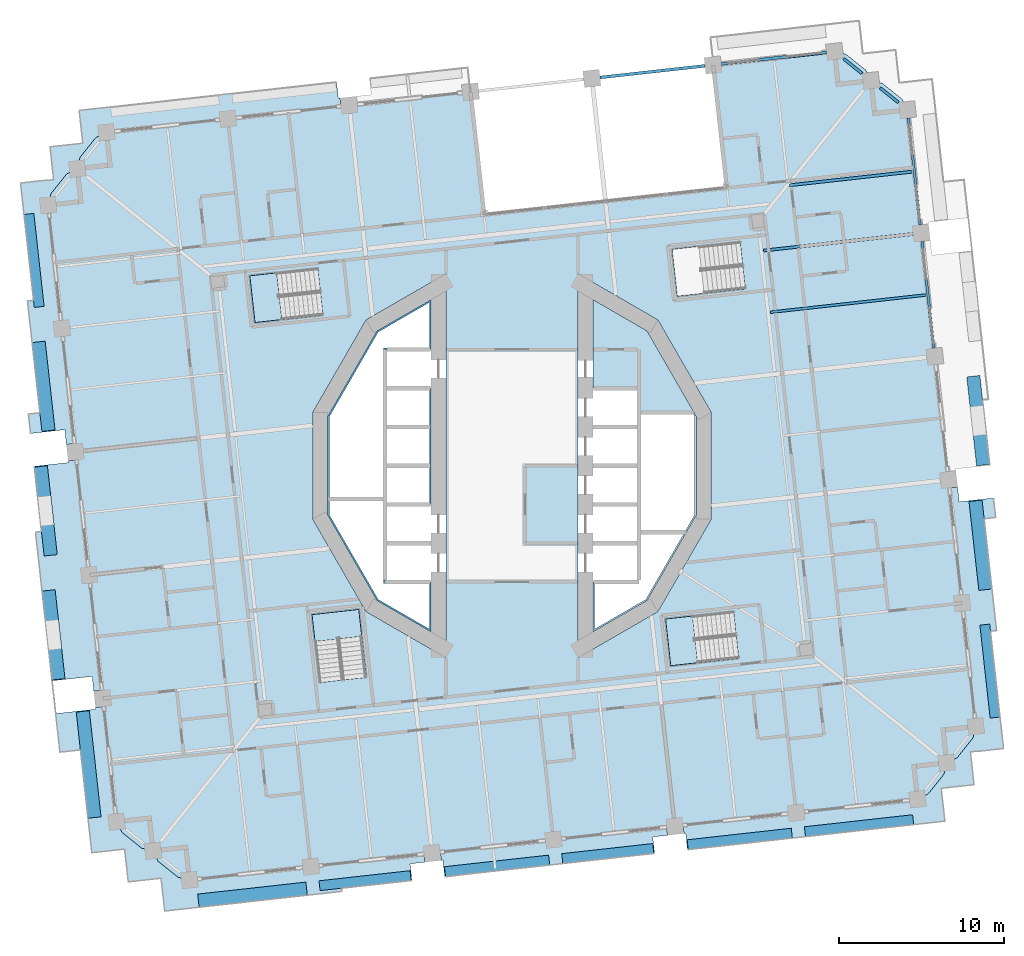
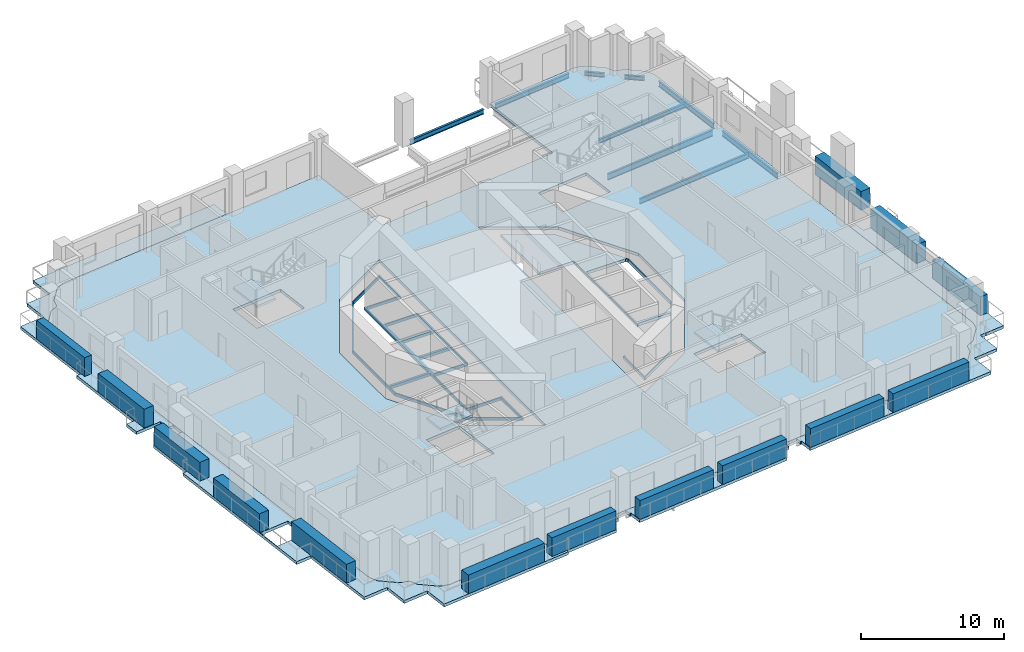
# One storey, part 5 of 20: 14 plates, 10 slabs, 9 beams, 3 elements without a shape of their own.
"""IFC4 building model written with IfcOpenShell, lengths in metres."""

from ifc_helpers import new_model, si_unit, direction, frame, origin, origin_2d, place, context, subcontext, project, spatial, polyline, rectangle, i_section, outline, extrude, material, layer, layer_set, material_profile, profile_set, type_object, element, aggregate, save


model = new_model("IFC4")

# Units and contexts
model_context = context("Model", 3, precision=1e-05, world=origin(), true_north=direction((0.0, 1.0)))
body_context = subcontext(model_context, "Body", "Model", "MODEL_VIEW")
ifc_project = project(units=[si_unit("LENGTHUNIT", "METRE"), si_unit("AREAUNIT", "SQUARE_METRE"), si_unit("VOLUMEUNIT", "CUBIC_METRE"), si_unit("PLANEANGLEUNIT", "RADIAN"), si_unit("MASSUNIT", "GRAM", prefix="KILO")], contexts=[model_context])

# Site, building, storey
site_placement = place(None, origin())
site = spatial("IfcSite", under=ifc_project, at=site_placement, CompositionType="ELEMENT")
building_placement = place(site_placement, origin())
building = spatial("IfcBuilding", under=site, at=building_placement, Name="Cantera Rosa Tower", CompositionType="ELEMENT")
storey_placement = place(building_placement, frame((0.0, 0.0, 50.10009765625)))
storey = spatial("IfcBuildingStorey", under=building, at=storey_placement, Name="L09", CompositionType="ELEMENT", Elevation=50.10009765625)

# Beams
ifc_material_1 = material(Name="Steel ASTM A992 (Fy 345 MPa)", Category="steel")
ifc_material_profile_1 = material_profile(ifc_material_1, i_section(OverallWidth=0.166015625, OverallDepth=0.528076171875, WebThickness=0.009765625, FlangeThickness=0.013671875, FilletRadius=0.0126953125, at=origin_2d()), Name="W530X74")
ifc_profile_set_1 = profile_set([ifc_material_profile_1], Name="Steel ASTM A992 (Fy 345 MPa)")
beam_type_1 = type_object("IfcBeamType", Name="STEEL BEAM W530X74", PredefinedType="BEAM", material=ifc_profile_set_1)
beam_1_placement = place(storey_placement, frame((24.298828125, 14.046142578125, -0.51416015625), z_axis=(-0.993896161189, -0.110319630049, 0.0), x_axis=(0.110319630049, -0.993896161189, 0.0)))
element("IfcBeam", 1, at=beam_1_placement, inside=storey, type_object=beam_type_1, Name="G-Z1-04 L09", PredefinedType="BEAM", context=body_context, shape_type="SweptSolid", body=[
    extrude(i_section(OverallWidth=0.166015625, OverallDepth=0.528076171875, WebThickness=0.009765625, FlangeThickness=0.013671875, FilletRadius=0.0126953125, at=origin_2d()), origin(), (0.0, 0.0, 1.0), 9.10009765625),
])
ifc_material_2 = material(Name="Steel ASTM A992 (Fy 345 MPa)", Category="steel")
ifc_material_profile_2 = material_profile(ifc_material_2, i_section(OverallWidth=0.1708984375, OverallDepth=0.35595703125, WebThickness=0.00732421875, FlangeThickness=0.01171875, FilletRadius=0.010009765625, at=origin_2d()), Name="W360X51")
ifc_profile_set_2 = profile_set([ifc_material_profile_2], Name="Steel ASTM A992 (Fy 345 MPa)")
beam_type_2 = type_object("IfcBeamType", Name="STEEL JOIST W360X51", PredefinedType="JOIST", material=ifc_profile_set_2)
beam_2_placement = place(storey_placement, frame((24.23193359375, 17.82177734375, -0.427978515625), z_axis=(-0.993899688369, -0.110287848199, 0.0), x_axis=(0.110287848199, -0.993899688369, 0.0)))
element("IfcBeam", 2, at=beam_2_placement, inside=storey, type_object=beam_type_2, Name="B-Z1-05 L09", PredefinedType="JOIST", context=body_context, shape_type="SweptSolid", body=[
    extrude(i_section(OverallWidth=0.1708984375, OverallDepth=0.35595703125, WebThickness=0.00732421875, FlangeThickness=0.01171875, FilletRadius=0.010009765625, at=origin_2d()), origin(), (0.0, 0.0, 1.0), 7.4599609375),
])
ifc_material_3 = material(Name="Steel ASTM A992 (Fy 345 MPa)", Category="steel")
ifc_material_profile_3 = material_profile(ifc_material_3, i_section(OverallWidth=0.154052734375, OverallDepth=0.4599609375, WebThickness=0.009033203125, FlangeThickness=0.015380859375, FilletRadius=0.01025390625, at=origin_2d()), Name="W460X68")
ifc_profile_set_3 = profile_set([ifc_material_profile_3], Name="Steel ASTM A992 (Fy 345 MPa)")
beam_type_3 = type_object("IfcBeamType", Name="STEEL JOIST W460X68", PredefinedType="JOIST", material=ifc_profile_set_3)
beam_3_placement = place(storey_placement, frame((25.0615234375, 10.34765625, -0.47998046875), z_axis=(-0.993896645353, -0.110315268011, 0.0), x_axis=(0.110315268011, -0.993896645353, 0.0)))
element("IfcBeam", 3, at=beam_3_placement, inside=storey, type_object=beam_type_3, Name="B-Z1-04 L09", PredefinedType="JOIST", context=body_context, shape_type="SweptSolid", body=[
    extrude(i_section(OverallWidth=0.154052734375, OverallDepth=0.4599609375, WebThickness=0.009033203125, FlangeThickness=0.015380859375, FilletRadius=0.01025390625, at=origin_2d()), origin(), (0.0, 0.0, 1.0), 9.449951171875),
])
ifc_material_4 = material(Name="Steel ASTM A992 (Fy 345 MPa)", Category="steel")
ifc_material_profile_4 = material_profile(ifc_material_4, i_section(OverallWidth=0.1708984375, OverallDepth=0.35595703125, WebThickness=0.00732421875, FlangeThickness=0.01171875, FilletRadius=0.010009765625, at=origin_2d()), Name="W360X51")
ifc_profile_set_4 = profile_set([ifc_material_profile_4], Name="Steel ASTM A992 (Fy 345 MPa)")
beam_type_4 = type_object("IfcBeamType", Name="STEEL SPANDREL BEAM W360X51", PredefinedType="SPANDREL", material=ifc_profile_set_4)
for number, where, z_axis, x_axis, name in (
    (4, (23.4140625, 22.017333984375, -0.427978515625), (-0.780818280208, 0.624758203863, 0.0), (-0.624758203863, -0.780818280208, 0.0), "EB-Z1-06 L09"),
    (5, (21.205810546875, 23.784423828125, -0.427978515625), (-0.780818280208, 0.624758203863, 0.0), (-0.624758203863, -0.780818280208, 0.0), "EB-Z1-07 L09"),
):
    element("IfcBeam", number, at=place(storey_placement, frame(where, z_axis=z_axis, x_axis=x_axis)), inside=storey, type_object=beam_type_4, Name=name, PredefinedType="SPANDREL", context=body_context, shape_type="SweptSolid", body=[
        extrude(i_section(OverallWidth=0.1708984375, OverallDepth=0.35595703125, WebThickness=0.00732421875, FlangeThickness=0.01171875, FilletRadius=0.010009765625, at=origin_2d()), origin(), (0.0, 0.0, 1.0), 1.414306640625),
    ])
ifc_material_5 = material(Name="Steel ASTM A992 (Fy 345 MPa)", Category="steel")
ifc_material_profile_5 = material_profile(ifc_material_5, i_section(OverallWidth=0.177978515625, OverallDepth=0.406005859375, WebThickness=0.0078125, FlangeThickness=0.0126953125, FilletRadius=0.01025390625, at=origin_2d()), Name="W410X60")
ifc_profile_set_5 = profile_set([ifc_material_profile_5], Name="Steel ASTM A992 (Fy 345 MPa)")
beam_type_5 = type_object("IfcBeamType", Name="STEEL SPANDREL BEAM W410X60", PredefinedType="SPANDREL", material=ifc_profile_set_5)
beam_4_placement = place(storey_placement, frame((19.052490234375, 25.0546875, -0.453125), z_axis=(-0.993896288542, -0.110318482689, 0.0), x_axis=(0.110318482689, -0.993896288542, 0.0)))
element("IfcBeam", 6, at=beam_4_placement, inside=storey, type_object=beam_type_5, Name="EB-Z1-08 L09", PredefinedType="SPANDREL", context=body_context, shape_type="SweptSolid", body=[
    extrude(i_section(OverallWidth=0.177978515625, OverallDepth=0.406005859375, WebThickness=0.0078125, FlangeThickness=0.0126953125, FilletRadius=0.01025390625, at=origin_2d()), origin(), (0.0, 0.0, 1.0), 6.400146484375),
])
beam_5_placement = place(storey_placement, frame((11.697509765625, 24.23828125, -0.453125), z_axis=(-0.993895824271, -0.110322665379, 0.0), x_axis=(0.110322665379, -0.993895824271, 0.0)))
element("IfcBeam", 7, at=beam_5_placement, inside=storey, type_object=beam_type_5, Name="EB-Z1-09 L09", PredefinedType="SPANDREL", context=body_context, shape_type="SweptSolid", body=[
    extrude(i_section(OverallWidth=0.177978515625, OverallDepth=0.406005859375, WebThickness=0.0078125, FlangeThickness=0.0126953125, FilletRadius=0.01025390625, at=origin_2d()), origin(), (0.0, 0.0, 1.0), 6.39990234375),
])
ifc_material_6 = material(Name="Steel ASTM A992 (Fy 345 MPa)", Category="steel")
ifc_material_profile_6 = material_profile(ifc_material_6, i_section(OverallWidth=0.154052734375, OverallDepth=0.4599609375, WebThickness=0.009033203125, FlangeThickness=0.015380859375, FilletRadius=0.01025390625, at=origin_2d()), Name="W460X68")
ifc_profile_set_6 = profile_set([ifc_material_profile_6], Name="Steel ASTM A992 (Fy 345 MPa)")
beam_type_6 = type_object("IfcBeamType", Name="STEEL SPANDREL BEAM W460X68", PredefinedType="SPANDREL", material=ifc_profile_set_6)
for number, where, z_axis, x_axis, name in (
    (8, (25.570068359375, 7.124267578125, -0.47998046875), (-0.110312341265, 0.993896970196, 0.0), (-0.993896970196, -0.110312341265, 0.0), "EB-Z1-04 L09"),
    (9, (24.74072265625, 14.598388671875, -0.47998046875), (-0.110312341265, 0.993896970196, 0.0), (-0.993896970196, -0.110312341265, 0.0), "EB-Z1-05 L09"),
):
    element("IfcBeam", number, at=place(storey_placement, frame(where, z_axis=z_axis, x_axis=x_axis)), inside=storey, type_object=beam_type_6, Name=name, PredefinedType="SPANDREL", context=body_context, shape_type="SweptSolid", body=[
        extrude(i_section(OverallWidth=0.154052734375, OverallDepth=0.4599609375, WebThickness=0.009033203125, FlangeThickness=0.015380859375, FilletRadius=0.01025390625, at=origin_2d()), origin(), (0.0, 0.0, 1.0), 6.52001953125),
    ])

# Slabs
ifc_material_7 = material(Name="Concrete C35/45", Category="concrete")
ifc_layer_1 = layer(ifc_material_7, 0.25)
ifc_layer_set_1 = layer_set([ifc_layer_1], Name="COMPOSITE FLOOR SLAB 250 C35/45")
slab_type_1 = type_object("IfcSlabType", Name="COMPOSITE FLOOR SLAB 250 C35/45", PredefinedType="FLOOR", material=ifc_layer_set_1)
slab_1_placement = place(storey_placement, frame((0.0, 0.0, -0.25)))
element("IfcSlab", 10, at=slab_1_placement, inside=storey, type_object=slab_type_1, Name="SLAB L09 floor 1", PredefinedType="FLOOR", context=body_context, shape_type="SweptSolid", body=[
    extrude(outline(polyline([(-7.699951171875, -7.050048828125), (-4.89990234375, -7.050048828125), (-4.89990234375, -10.07373046875), (-8.179931640625, -8.179931640625), (-11.174072265625, -2.994140625), (-11.174072265625, 2.994140625), (-8.179931640625, 8.179931640625), (-4.89990234375, 10.07373046875), (-4.89990234375, 7.050048828125), (-7.699951171875, 7.050048828125), (-7.699951171875, 4.699951171875), (-4.89990234375, 4.699951171875), (-4.89990234375, -2.35009765625), (-7.699951171875, -2.35009765625), (-7.699951171875, -4.699951171875), (-7.699951171875, -7.050048828125)]), holes=[polyline([(-5.0, -9.900390625), (-5.0, -7.14990234375), (-7.800048828125, -7.14990234375), (-7.800048828125, -2.449951171875), (-7.800048828125, -2.25), (-7.800048828125, -2.11474609375), (-11.07421875, -2.11474609375), (-11.07421875, -2.96728515625), (-8.106689453125, -8.106689453125), (-5.0, -9.900390625)]), polyline([(-7.60009765625, -0.10009765625), (-7.60009765625, -2.25), (-5.0, -2.25), (-5.0, -0.10009765625), (-7.60009765625, -0.10009765625)]), polyline([(-7.60009765625, 2.25), (-7.60009765625, 0.10009765625), (-5.0, 0.10009765625), (-5.0, 2.25), (-7.60009765625, 2.25)]), polyline([(-7.60009765625, 4.60009765625), (-7.60009765625, 2.449951171875), (-5.0, 2.449951171875), (-5.0, 4.60009765625), (-7.60009765625, 4.60009765625)]), polyline([(-11.07421875, 2.96728515625), (-11.07421875, -1.914794921875), (-7.800048828125, -1.914794921875), (-7.800048828125, 2.25), (-7.800048828125, 2.449951171875), (-7.800048828125, 7.14990234375), (-5.0, 7.14990234375), (-5.0, 9.900390625), (-8.106689453125, 8.106689453125), (-11.07421875, 2.96728515625)])]), origin(), (0.0, 0.0, 1.0), 0.25),
])
slab_2_placement = place(storey_placement, frame((0.0, 0.0, -0.25)))
element("IfcSlab", 11, at=slab_2_placement, inside=storey, type_object=slab_type_1, Name="SLAB L09 floor 2", PredefinedType="FLOOR", context=body_context, shape_type="SweptSolid", body=[
    extrude(outline(polyline([(-20.288818359375, -24.902099609375), (-21.39306640625, -24.018798828125), (-21.415283203125, -23.999267578125), (-21.435302734375, -23.9775390625), (-21.453125, -23.9541015625), (-21.468505859375, -23.92919921875), (-21.7578125, -23.342529296875), (-22.393310546875, -23.18896484375), (-22.42138671875, -23.179443359375), (-22.447998046875, -23.1669921875), (-22.473388671875, -23.15234375), (-22.497314453125, -23.135009765625), (-23.6015625, -22.25146484375), (-23.62353515625, -22.23193359375), (-23.643798828125, -22.21044921875), (-23.66162109375, -22.18701171875), (-23.677001953125, -22.161865234375), (-23.96630859375, -21.575439453125), (-28.114013671875, 15.795166015625), (-27.960205078125, 16.4306640625), (-27.95068359375, 16.45849609375), (-27.9384765625, 16.4853515625), (-27.923583984375, 16.5107421875), (-27.906494140625, 16.53466796875), (-27.022705078125, 17.638916015625), (-27.00341796875, 17.660888671875), (-26.981689453125, 17.680908203125), (-26.958251953125, 17.69873046875), (-26.933349609375, 17.714111328125), (-26.3466796875, 18.00341796875), (-26.193115234375, 18.63916015625), (-26.18359375, 18.6669921875), (-26.17138671875, 18.693603515625), (-26.156494140625, 18.71923828125), (-26.139404296875, 18.742919921875), (-25.255615234375, 19.84716796875), (-25.236083984375, 19.869384765625), (-25.214599609375, 19.889404296875), (-25.191162109375, 19.9072265625), (-25.166015625, 19.922607421875), (-24.57958984375, 20.2119140625), (-2.51513671875, 22.660888671875), (-1.687744140625, 15.20654296875), (13.02197265625, 16.839111328125), (12.194580078125, 24.29345703125), (18.642578125, 25.00927734375), (19.54931640625, 25.10986328125), (20.18505859375, 24.9560546875), (20.212890625, 24.946533203125), (20.239501953125, 24.934326171875), (20.26513671875, 24.91943359375), (20.288818359375, 24.902099609375), (21.39306640625, 24.018798828125), (21.415283203125, 23.999267578125), (21.435302734375, 23.9775390625), (21.453125, 23.9541015625), (21.468505859375, 23.92919921875), (21.7578125, 23.342529296875), (22.393310546875, 23.18896484375), (22.42138671875, 23.179443359375), (22.447998046875, 23.1669921875), (22.473388671875, 23.15234375), (22.497314453125, 23.135009765625), (23.6015625, 22.25146484375), (23.62353515625, 22.23193359375), (23.643798828125, 22.21044921875), (23.66162109375, 22.18701171875), (23.677001953125, 22.161865234375), (23.96630859375, 21.575439453125), (28.114013671875, -15.795166015625), (27.960205078125, -16.4306640625), (27.95068359375, -16.45849609375), (27.9384765625, -16.4853515625), (27.923583984375, -16.5107421875), (27.906494140625, -16.53466796875), (27.022705078125, -17.638916015625), (27.00341796875, -17.660888671875), (26.981689453125, -17.680908203125), (26.958251953125, -17.69873046875), (26.933349609375, -17.714111328125), (26.3466796875, -18.00341796875), (26.193115234375, -18.63916015625), (26.18359375, -18.6669921875), (26.17138671875, -18.693603515625), (26.156494140625, -18.71923828125), (26.139404296875, -18.742919921875), (25.255615234375, -19.84716796875), (25.236083984375, -19.869384765625), (25.214599609375, -19.889404296875), (25.191162109375, -19.9072265625), (25.166015625, -19.922607421875), (24.57958984375, -20.2119140625), (-18.642578125, -25.00927734375), (-19.54931640625, -25.10986328125), (-20.18505859375, -24.9560546875), (-20.212890625, -24.946533203125), (-20.239501953125, -24.934326171875), (-20.26513671875, -24.91943359375), (-20.288818359375, -24.902099609375)]), holes=[polyline([(-8.83056640625, -12.822265625), (-9.287109375, -8.709716796875), (-12.11962890625, -9.02392578125), (-11.6630859375, -13.13671875), (-8.83056640625, -12.822265625)]), polyline([(-8.8388671875, 8.8388671875), (-12.07421875, 3.235107421875), (-12.07421875, -3.235107421875), (-8.8388671875, -8.8388671875), (-4.0, -11.632568359375), (-4.0, 11.632568359375), (-8.8388671875, 8.8388671875)]), polyline([(-11.46337890625, 9.13671875), (-11.777587890625, 11.969482421875), (-15.890380859375, 11.512939453125), (-15.575927734375, 8.680419921875), (-11.46337890625, 9.13671875)]), polyline([(13.42236328125, -8.83056640625), (9.3095703125, -9.287109375), (9.6240234375, -12.11962890625), (13.73681640625, -11.6630859375), (13.42236328125, -8.83056640625)]), polyline([(4.0, -11.632568359375), (8.8388671875, -8.8388671875), (12.07421875, -3.235107421875), (12.07421875, 3.235107421875), (8.8388671875, 8.8388671875), (4.0, 11.632568359375), (4.0, -11.632568359375)]), polyline([(14.13671875, 10.73681640625), (13.822265625, 13.5693359375), (9.709716796875, 13.11279296875), (10.02392578125, 10.2802734375), (14.13671875, 10.73681640625)])]), origin(), (0.0, 0.0, 1.0), 0.25),
])
slab_3_placement = place(storey_placement, frame((0.0, 0.0, -0.25)))
element("IfcSlab", 12, at=slab_3_placement, inside=storey, type_object=slab_type_1, Name="SLAB L09 floor 3", PredefinedType="FLOOR", context=body_context, shape_type="SweptSolid", body=[
    extrude(outline(polyline([(5.0927734375, -7.050048828125), (5.0, -7.14990234375), (5.0, -9.900390625), (8.106689453125, -8.106689453125), (10.403076171875, -4.12939453125), (7.800048828125, -4.12939453125), (7.699951171875, -4.2373046875), (7.699951171875, -2.35009765625), (7.699951171875, 0.0), (7.699951171875, 2.35009765625), (7.699951171875, 4.699951171875), (4.89990234375, 4.699951171875), (4.89990234375, 10.07373046875), (8.179931640625, 8.179931640625), (11.174072265625, 2.994140625), (11.174072265625, -2.994140625), (8.179931640625, -8.179931640625), (4.89990234375, -10.07373046875), (4.89990234375, -7.050048828125), (5.0927734375, -7.050048828125)]), holes=[polyline([(7.800048828125, 2.449951171875), (7.800048828125, 2.25), (7.800048828125, -2.25), (7.800048828125, -2.449951171875), (7.800048828125, -3.929443359375), (10.5185546875, -3.929443359375), (11.07421875, -2.96728515625), (11.07421875, 2.96728515625), (10.98388671875, 3.12353515625), (7.800048828125, 3.12353515625), (7.800048828125, 2.449951171875)])]), origin(), (0.0, 0.0, 1.0), 0.25),
])
ifc_material_8 = material(Name="Concrete C35/45", Category="concrete")
ifc_layer_2 = layer(ifc_material_8, 0.25)
ifc_layer_set_2 = layer_set([ifc_layer_2], Name="LOGGIA SLAB 250 C35/45")
slab_type_2 = type_object("IfcSlabType", Name="LOGGIA SLAB 250 C35/45", PredefinedType="FLOOR", material=ifc_layer_set_2)
slab_4_placement = place(storey_placement, frame((0.0, 0.0, -0.25)))
element("IfcSlab", 13, at=slab_4_placement, inside=storey, type_object=slab_type_2, Name="LOGGIA SLAB L09 1", PredefinedType="FLOOR", context=body_context, shape_type="SweptSolid", body=[
    extrude(outline(polyline([(-29.36962890625, 9.989501953125), (-29.000732421875, 10.030517578125), (-29.789306640625, 17.1357421875), (-28.28125, 17.302978515625), (-28.279296875, 17.285888671875), (-27.782470703125, 17.341064453125), (-27.837646484375, 17.837890625), (-28.003173828125, 19.328857421875), (-26.51220703125, 19.494384765625), (-26.015380859375, 19.549560546875), (-26.070556640625, 20.04638671875), (-26.236083984375, 21.537353515625), (-24.7451171875, 21.702880859375), (-18.881103515625, 22.353515625), (-15.8994140625, 22.6845703125), (-11.5263671875, 23.169921875), (-10.6318359375, 23.269287109375), (-10.521484375, 22.275390625), (-10.422119140625, 22.286376953125), (-10.366943359375, 21.789306640625), (-24.57958984375, 20.2119140625), (-25.166015625, 19.922607421875), (-25.191162109375, 19.9072265625), (-25.214599609375, 19.889404296875), (-25.236083984375, 19.869384765625), (-25.255615234375, 19.84716796875), (-26.139404296875, 18.742919921875), (-26.156494140625, 18.71923828125), (-26.17138671875, 18.693603515625), (-26.18359375, 18.6669921875), (-26.193115234375, 18.63916015625), (-26.3466796875, 18.00341796875), (-26.933349609375, 17.714111328125), (-26.958251953125, 17.69873046875), (-26.981689453125, 17.680908203125), (-27.00341796875, 17.660888671875), (-27.022705078125, 17.638916015625), (-27.906494140625, 16.53466796875), (-27.923583984375, 16.5107421875), (-27.9384765625, 16.4853515625), (-27.95068359375, 16.45849609375), (-27.960205078125, 16.4306640625), (-28.114013671875, 15.795166015625), (-26.510009765625, 1.34375), (-27.007080078125, 1.288818359375), (-27.106201171875, 2.18310546875), (-29.180908203125, 1.952880859375), (-29.31201171875, 3.133056640625), (-28.6171875, 3.210205078125), (-29.36962890625, 9.989501953125)])), origin(), (0.0, 0.0, 1.0), 0.25),
])
slab_5_placement = place(storey_placement, frame((0.0, 0.0, -0.25)))
element("IfcSlab", 14, at=slab_5_placement, inside=storey, type_object=slab_type_2, Name="LOGGIA SLAB L09 2", PredefinedType="FLOOR", context=body_context, shape_type="SweptSolid", body=[
    extrude(outline(polyline([(-19.36181640625, -26.79931640625), (-21.051513671875, -26.98681640625), (-21.239013671875, -25.29736328125), (-21.272216796875, -24.999267578125), (-21.5703125, -25.0322265625), (-23.260009765625, -25.2197265625), (-23.447509765625, -23.5302734375), (-23.48046875, -23.23193359375), (-23.77880859375, -23.26513671875), (-25.46826171875, -23.45263671875), (-25.65576171875, -21.762939453125), (-26.159912109375, -17.22021484375), (-27.40185546875, -17.358154296875), (-28.882080078125, -4.021240234375), (-28.5224609375, -3.981201171875), (-28.96044921875, -0.034912109375), (-26.885498046875, 0.1953125), (-26.896728515625, 0.294921875), (-26.399658203125, 0.349853515625), (-24.850830078125, -13.6044921875), (-25.347900390625, -13.65966796875), (-25.447265625, -12.764892578125), (-27.83251953125, -13.02978515625), (-27.61181640625, -15.017578125), (-25.2265625, -14.752685546875), (-25.237548828125, -14.653564453125), (-24.740478515625, -14.598388671875), (-23.96630859375, -21.575439453125), (-23.677001953125, -22.161865234375), (-23.66162109375, -22.18701171875), (-23.643798828125, -22.21044921875), (-23.62353515625, -22.23193359375), (-23.6015625, -22.25146484375), (-22.497314453125, -23.135009765625), (-22.473388671875, -23.15234375), (-22.447998046875, -23.1669921875), (-22.42138671875, -23.179443359375), (-22.393310546875, -23.18896484375), (-21.7578125, -23.342529296875), (-21.468505859375, -23.92919921875), (-21.453125, -23.9541015625), (-21.435302734375, -23.9775390625), (-21.415283203125, -23.999267578125), (-21.39306640625, -24.018798828125), (-20.288818359375, -24.902099609375), (-20.26513671875, -24.91943359375), (-20.239501953125, -24.934326171875), (-20.212890625, -24.946533203125), (-20.18505859375, -24.9560546875), (-19.54931640625, -25.10986328125), (-18.642578125, -25.00927734375), (-5.336669921875, -23.5322265625), (-5.281494140625, -24.029296875), (-6.176025390625, -24.12841796875), (-6.064697265625, -25.132080078125), (-10.33837890625, -25.606689453125), (-10.3173828125, -25.795654296875), (-19.36181640625, -26.79931640625)])), origin(), (0.0, 0.0, 1.0), 0.25),
])
slab_6_placement = place(storey_placement, frame((0.0, 0.0, -0.25)))
element("IfcSlab", 15, at=slab_6_placement, inside=storey, type_object=slab_type_2, Name="LOGGIA SLAB L09 4", PredefinedType="FLOOR", context=body_context, shape_type="SweptSolid", body=[
    extrude(outline(polyline([(-4.188232421875, -23.907958984375), (-4.28759765625, -23.9189453125), (-4.3427734375, -23.422119140625), (9.373046875, -21.899658203125), (9.42822265625, -22.396484375), (8.53369140625, -22.495849609375), (8.64404296875, -23.48974609375), (8.544677734375, -23.5009765625), (4.17138671875, -23.986083984375), (1.189697265625, -24.317138671875), (-3.173583984375, -24.801513671875), (-3.172607421875, -24.811279296875), (-4.076904296875, -24.91162109375), (-4.188232421875, -23.907958984375)])), origin(), (0.0, 0.0, 1.0), 0.25),
])
slab_7_placement = place(storey_placement, frame((0.0, 0.0, -0.25)))
element("IfcSlab", 16, at=slab_7_placement, inside=storey, type_object=slab_type_2, Name="LOGGIA SLAB L09 5", PredefinedType="FLOOR", context=body_context, shape_type="SweptSolid", body=[
    extrude(outline(polyline([(29.36962890625, -9.989501953125), (29.000732421875, -10.030517578125), (29.789306640625, -17.1357421875), (28.28125, -17.302978515625), (28.279296875, -17.285888671875), (27.782470703125, -17.341064453125), (27.837646484375, -17.837890625), (28.003173828125, -19.328857421875), (26.51220703125, -19.494384765625), (26.015380859375, -19.549560546875), (26.070556640625, -20.04638671875), (26.236083984375, -21.537353515625), (24.7451171875, -21.702880859375), (18.881103515625, -22.353515625), (15.8994140625, -22.6845703125), (11.5263671875, -23.169921875), (10.6318359375, -23.269287109375), (10.521484375, -22.275390625), (10.422119140625, -22.286376953125), (10.366943359375, -21.789306640625), (24.57958984375, -20.2119140625), (25.166015625, -19.922607421875), (25.191162109375, -19.9072265625), (25.214599609375, -19.889404296875), (25.236083984375, -19.869384765625), (25.255615234375, -19.84716796875), (26.139404296875, -18.742919921875), (26.156494140625, -18.71923828125), (26.17138671875, -18.693603515625), (26.18359375, -18.6669921875), (26.193115234375, -18.63916015625), (26.3466796875, -18.00341796875), (26.933349609375, -17.714111328125), (26.958251953125, -17.69873046875), (26.981689453125, -17.680908203125), (27.00341796875, -17.660888671875), (27.022705078125, -17.638916015625), (27.906494140625, -16.53466796875), (27.923583984375, -16.5107421875), (27.9384765625, -16.4853515625), (27.95068359375, -16.45849609375), (27.960205078125, -16.4306640625), (28.114013671875, -15.795166015625), (26.510009765625, -1.34375), (27.007080078125, -1.288818359375), (27.106201171875, -2.18310546875), (29.180908203125, -1.952880859375), (29.31201171875, -3.133056640625), (28.6171875, -3.210205078125), (29.36962890625, -9.989501953125)])), origin(), (0.0, 0.0, 1.0), 0.25),
])

# Plates
ifc_material_9 = material(Name="Cantera stone planter with soil", Category="masonry")
plate_type_1 = type_object("IfcPlateType", Name="PLANTER 600", PredefinedType="USERDEFINED", material=ifc_material_9)
for number, where, z_axis, x_axis, name in (
    (17, (28.966796875, -12.445556640625, -0.000244140625), (0.0, 0.0, 1.0), (-0.110312555526, 0.993896946415, 0.0), "PLANTER L09-01"),
    (18, (-28.966796875, 12.445556640625, -0.000244140625), (0.0, 0.0, 1.0), (0.110312555526, -0.993896946415, 0.0), "PLANTER L09-12"),
):
    element("IfcPlate", number, at=place(storey_placement, frame(where, z_axis=z_axis, x_axis=x_axis)), inside=storey, type_object=plate_type_1, Name=name, ObjectType="PLANTER", PredefinedType="USERDEFINED", context=body_context, shape_type="SweptSolid", body=[
        extrude(rectangle(XDim=5.669921875, YDim=0.60009765625, at=origin_2d()), origin(), (0.0, 0.0, 1.0), 1.60009765625),
    ])
plate_1_placement = place(storey_placement, frame((-8.905517578125, -25.145751953125, -0.000244140625), z_axis=(0.0, 0.0, 1.0), x_axis=(0.993896946415, 0.110312555526, 0.0)))
element("IfcPlate", 19, at=plate_1_placement, inside=storey, type_object=plate_type_1, Name="PLANTER L09-18", ObjectType="PLANTER", PredefinedType="USERDEFINED", context=body_context, shape_type="SweptSolid", body=[
    extrude(rectangle(XDim=5.550048828125, YDim=0.60009765625, at=origin_2d()), origin(), (0.0, 0.0, 1.0), 1.60009765625),
])
plate_2_placement = place(storey_placement, frame((-0.90576171875, -24.247802734375, -0.000244140625), z_axis=(0.0, 0.0, 1.0), x_axis=(0.993896946415, 0.110312555526, 0.0)))
element("IfcPlate", 20, at=plate_2_placement, inside=storey, type_object=plate_type_1, Name="PLANTER L09-19", ObjectType="PLANTER", PredefinedType="USERDEFINED", context=body_context, shape_type="SweptSolid", body=[
    extrude(rectangle(XDim=6.35009765625, YDim=0.60009765625, at=origin_2d()), origin(), (0.0, 0.0, 1.0), 1.60009765625),
])
plate_3_placement = place(storey_placement, frame((5.80322265625, -23.503173828125, -0.000244140625), z_axis=(0.0, 0.0, 1.0), x_axis=(0.993896946415, 0.110312555526, 0.0)))
element("IfcPlate", 21, at=plate_3_placement, inside=storey, type_object=plate_type_1, Name="PLANTER L09-20", ObjectType="PLANTER", PredefinedType="USERDEFINED", context=body_context, shape_type="SweptSolid", body=[
    extrude(rectangle(XDim=5.550048828125, YDim=0.60009765625, at=origin_2d()), origin(), (0.0, 0.0, 1.0), 1.60009765625),
])
plate_4_placement = place(storey_placement, frame((13.803955078125, -22.615234375, -0.000244140625), z_axis=(0.0, 0.0, 1.0), x_axis=(0.993896946415, 0.110312555526, 0.0)))
element("IfcPlate", 22, at=plate_4_placement, inside=storey, type_object=plate_type_1, Name="PLANTER L09-21", ObjectType="PLANTER", PredefinedType="USERDEFINED", context=body_context, shape_type="SweptSolid", body=[
    extrude(rectangle(XDim=6.35009765625, YDim=0.60009765625, at=origin_2d()), origin(), (0.0, 0.0, 1.0), 1.60009765625),
])
plate_5_placement = place(storey_placement, frame((21.03466796875, -21.812744140625, -0.000244140625), z_axis=(0.0, 0.0, 1.0), x_axis=(0.993896946415, 0.110312555526, 0.0)))
element("IfcPlate", 23, at=plate_5_placement, inside=storey, type_object=plate_type_1, Name="PLANTER L09-22", ObjectType="PLANTER", PredefinedType="USERDEFINED", context=body_context, shape_type="SweptSolid", body=[
    extrude(rectangle(XDim=6.60009765625, YDim=0.60009765625, at=origin_2d()), origin(), (0.0, 0.0, 1.0), 1.60009765625),
])
ifc_material_10 = material(Name="Cantera stone planter with soil", Category="masonry")
plate_type_2 = type_object("IfcPlateType", Name="PLANTER 800", PredefinedType="USERDEFINED", material=ifc_material_10)
for number, where, z_axis, x_axis, name in (
    (24, (28.393310546875, -4.8173828125, -0.000244140625), (0.0, 0.0, 1.0), (-0.110312555526, 0.993896946415, 0.0), "PLANTER L09-02"),
    (25, (28.25830078125, 2.73388671875, -0.000244140625), (0.0, 0.0, 1.0), (-0.110312555526, 0.993896946415, 0.0), "PLANTER L09-03"),
    (26, (-28.393310546875, 4.8173828125, -0.000244140625), (0.0, 0.0, 1.0), (0.110312555526, -0.993896946415, 0.0), "PLANTER L09-13"),
    (27, (-28.25830078125, -2.73388671875, -0.000244140625), (0.0, 0.0, 1.0), (0.110312555526, -0.993896946415, 0.0), "PLANTER L09-14"),
    (28, (-27.78857421875, -10.248046875, -0.000244140625), (0.0, 0.0, 1.0), (0.110312555526, -0.993896946415, 0.0), "PLANTER L09-15"),
):
    element("IfcPlate", number, at=place(storey_placement, frame(where, z_axis=z_axis, x_axis=x_axis)), inside=storey, type_object=plate_type_2, Name=name, ObjectType="PLANTER", PredefinedType="USERDEFINED", context=body_context, shape_type="SweptSolid", body=[
        extrude(rectangle(XDim=5.419921875, YDim=0.800048828125, at=origin_2d()), origin(), (0.0, 0.0, 1.0), 1.60009765625),
    ])
plate_6_placement = place(storey_placement, frame((-25.6591796875, -18.10595703125, -0.000244140625), z_axis=(0.0, 0.0, 1.0), x_axis=(0.110312555526, -0.993896946415, 0.0)))
element("IfcPlate", 29, at=plate_6_placement, inside=storey, type_object=plate_type_2, Name="PLANTER L09-16", ObjectType="PLANTER", PredefinedType="USERDEFINED", context=body_context, shape_type="SweptSolid", body=[
    extrude(rectangle(XDim=6.469970703125, YDim=0.800048828125, at=origin_2d()), origin(), (0.0, 0.0, 1.0), 1.60009765625),
])
plate_7_placement = place(storey_placement, frame((-15.728515625, -25.99365234375, -0.000244140625), z_axis=(0.0, 0.0, 1.0), x_axis=(0.993896946415, 0.110312555526, 0.0)))
element("IfcPlate", 30, at=plate_7_placement, inside=storey, type_object=plate_type_2, Name="PLANTER L09-17", ObjectType="PLANTER", PredefinedType="USERDEFINED", context=body_context, shape_type="SweptSolid", body=[
    extrude(rectangle(XDim=6.60009765625, YDim=0.800048828125, at=origin_2d()), origin(), (0.0, 0.0, 1.0), 1.60009765625),
])

# Stair, slab
ifc_material_11 = material(Name="Concrete C35/45", Category="concrete")
stair_type = type_object("IfcStairType", Name="EXIT STAIR 1350 DOGLEG", PredefinedType="HALF_TURN_STAIR", material=ifc_material_11)
stair_1_placement = place(storey_placement, origin())
stair_1 = element("IfcStair", 31, at=stair_1_placement, inside=storey, type_object=stair_type, Name="L09 ST-12", PredefinedType="HALF_TURN_STAIR")
ifc_material_12 = material(Name="Concrete C35/45", Category="concrete")
ifc_layer_3 = layer(ifc_material_12, 0.199951171875)
ifc_layer_set_3 = layer_set([ifc_layer_3], Name="STAIR LANDING 200")
slab_type_3 = type_object("IfcSlabType", Name="STAIR LANDING 200", PredefinedType="LANDING", material=ifc_layer_set_3)
slab_8_placement = place(storey_placement, frame((0.0, 0.0, 1.699951171875)))
slab_8 = element("IfcSlab", 32, at=slab_8_placement, type_object=slab_type_3, Name="ST-12 landing 1", PredefinedType="LANDING", context=body_context, shape_type="SweptSolid", body=[
    extrude(outline(polyline([(-14.258544921875, 11.694091796875), (-15.890380859375, 11.512939453125), (-15.575927734375, 8.680419921875), (-13.944091796875, 8.861572265625), (-14.258544921875, 11.694091796875)])), origin(), (0.0, 0.0, 1.0), 0.199951171875),
])
aggregate(stair_1, [slab_8])

stair_2_placement = place(storey_placement, origin())
stair_2 = element("IfcStair", 33, at=stair_2_placement, inside=storey, type_object=stair_type, Name="L09 ST-13", PredefinedType="HALF_TURN_STAIR")
slab_9_placement = place(storey_placement, frame((0.0, 0.0, 1.699951171875)))
slab_9 = element("IfcSlab", 34, at=slab_9_placement, type_object=slab_type_3, Name="ST-13 landing 1", PredefinedType="LANDING", context=body_context, shape_type="SweptSolid", body=[
    extrude(outline(polyline([(-9.10595703125, -10.341552734375), (-9.287109375, -8.70947265625), (-12.11962890625, -9.02392578125), (-11.9384765625, -10.656005859375), (-9.10595703125, -10.341552734375)])), origin(), (0.0, 0.0, 1.0), 0.199951171875),
])
aggregate(stair_2, [slab_9])

stair_3_placement = place(storey_placement, origin())
stair_3 = element("IfcStair", 35, at=stair_3_placement, inside=storey, type_object=stair_type, Name="L09 ST-14", PredefinedType="HALF_TURN_STAIR")
slab_10_placement = place(storey_placement, frame((0.0, 0.0, 1.699951171875)))
slab_10 = element("IfcSlab", 36, at=slab_10_placement, type_object=slab_type_3, Name="ST-14 landing 1", PredefinedType="LANDING", context=body_context, shape_type="SweptSolid", body=[
    extrude(outline(polyline([(10.941650390625, -9.10595703125), (9.3095703125, -9.287109375), (9.6240234375, -12.11962890625), (11.255859375, -11.9384765625), (10.941650390625, -9.10595703125)])), origin(), (0.0, 0.0, 1.0), 0.199951171875),
])
aggregate(stair_3, [slab_10])

save(model, "model.ifc")
